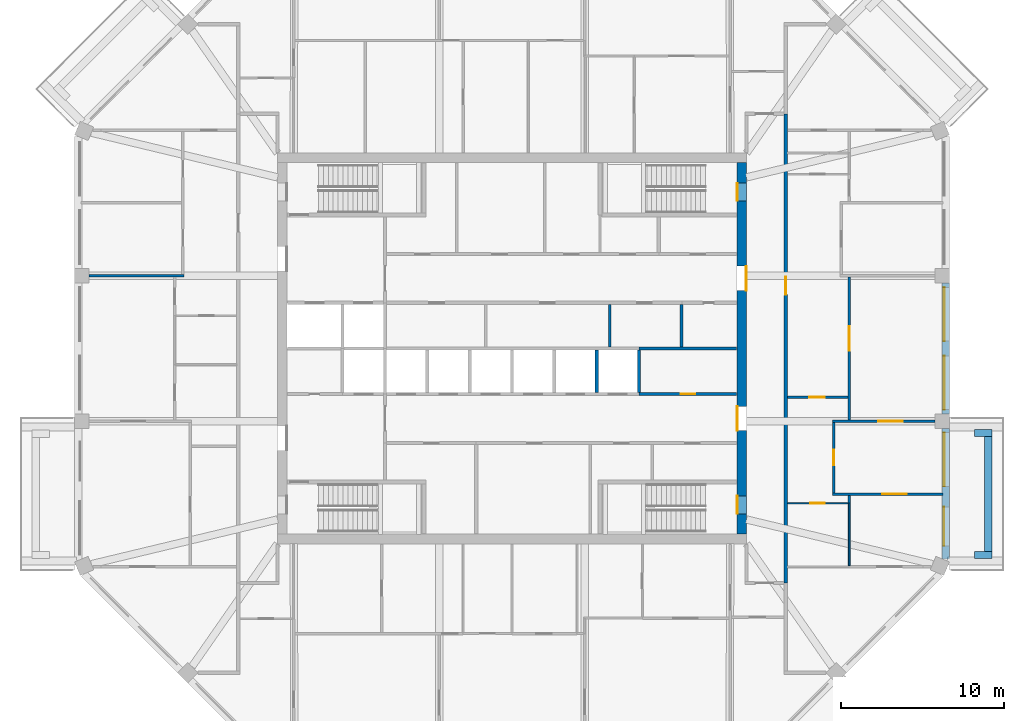
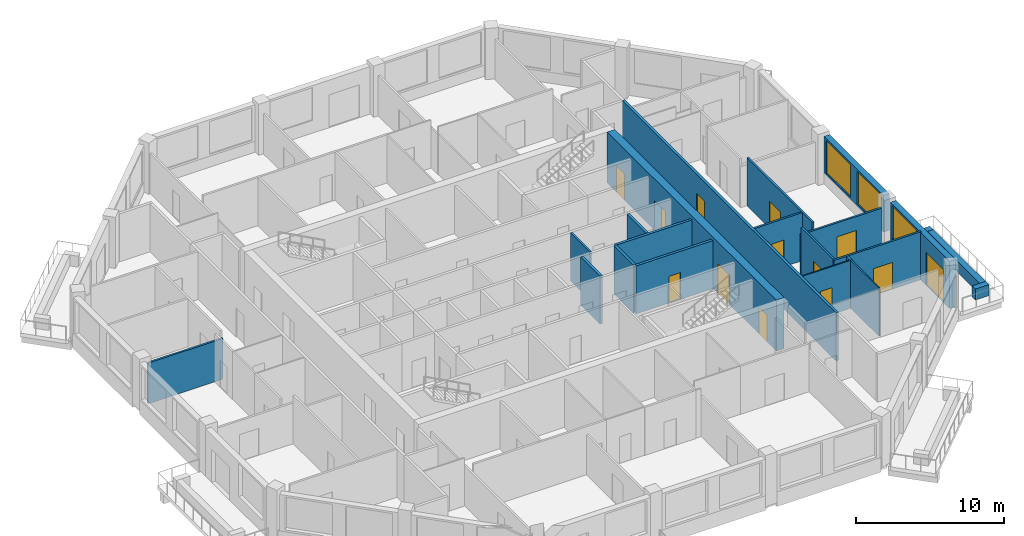
# One storey, part 6 of 11: 22 walls, 13 doors, 3 windows, 16 openings.
"""IFC4 building model written with IfcOpenShell, lengths in metres."""

from ifc_helpers import new_model, si_unit, direction, frame, frame_2d, origin, place, context, subcontext, project, spatial, rectangle, extrude, material, layer, layer_set, type_object, element, fill, save


model = new_model("IFC4")

# Units and contexts
model_context = context("Model", 3, precision=1e-05, world=origin(), true_north=direction((0.0, 1.0)))
body_context = subcontext(model_context, "Body", "Model", "MODEL_VIEW")
ifc_project = project(units=[si_unit("LENGTHUNIT", "METRE"), si_unit("AREAUNIT", "SQUARE_METRE"), si_unit("VOLUMEUNIT", "CUBIC_METRE"), si_unit("PLANEANGLEUNIT", "RADIAN"), si_unit("MASSUNIT", "GRAM", prefix="KILO")], contexts=[model_context])

# Site, building, storey
site_placement = place(None, origin())
site = spatial("IfcSite", under=ifc_project, at=site_placement, CompositionType="ELEMENT")
building_placement = place(site_placement, origin())
building = spatial("IfcBuilding", under=site, at=building_placement, Name="Msitu Wima Residences", CompositionType="ELEMENT")
storey_placement = place(building_placement, frame((0.0, 0.0, 293.699951171875)))
storey = spatial("IfcBuildingStorey", under=building, at=storey_placement, Name="L68", CompositionType="ELEMENT", Elevation=293.699951171875)

# Walls
ifc_material_1 = material(Name="Facing brick")
ifc_layer_1 = layer(ifc_material_1, 0.06494140625, Name="Facing brick")
ifc_material_2 = material(Name="Concrete C40/50", Category="concrete")
ifc_layer_2 = layer(ifc_material_2, 0.156005859375, Name="Concrete C40/50")
ifc_material_3 = material(Name="Waterproofing membrane")
ifc_layer_3 = layer(ifc_material_3, 0.00390625, Name="Waterproofing membrane")
ifc_material_4 = material(Name="Planting soil and planting")
ifc_layer_4 = layer(ifc_material_4, 0.22509765625, Name="Planting soil and planting")
ifc_layer_set_1 = layer_set([ifc_layer_1, ifc_layer_2, ifc_layer_3, ifc_layer_4], Name="Concrete C40/50")
wall_type_1 = type_object("IfcWallType", Name="Balcony planter PLANTER PL450", PredefinedType="USERDEFINED", material=ifc_layer_set_1)
wall_1_placement = place(storey_placement, frame((29.22509765625, -12.455810546875, 0.0), z_axis=(0.0, 0.0, 1.0), x_axis=(0.0, 1.0, 0.0)))
element("IfcWall", 1, at=wall_1_placement, inside=storey, type_object=wall_type_1, Name="Balcony planter E0 L68", ObjectType="PLANTER", PredefinedType="USERDEFINED", context=body_context, shape_type="SweptSolid", body=[
    extrude(rectangle(XDim=7.037109375, YDim=0.449951171875, at=frame_2d((3.5185546875, 0.0))), origin(), (0.0, 0.0, 1.0), 0.900146484375),
])
for number, where, z_axis, x_axis, name in (
    (2, (28.39990234375, -12.680908203125, 0.0), (0.0, 0.0, 1.0), (1.0, 0.0, 0.0), "Balcony planter E0 L68"),
    (3, (28.39990234375, -5.193603515625, 0.0), (0.0, 0.0, 1.0), (1.0, 0.0, 0.0), "Balcony planter E0 L68"),
):
    element("IfcWall", number, at=place(storey_placement, frame(where, z_axis=z_axis, x_axis=x_axis)), inside=storey, type_object=wall_type_1, Name=name, ObjectType="PLANTER", PredefinedType="USERDEFINED", context=body_context, shape_type="SweptSolid", body=[
        extrude(rectangle(XDim=1.050048828125, YDim=0.449951171875, at=frame_2d((0.52490234375, 0.0))), origin(), (0.0, 0.0, 1.0), 0.900146484375),
    ])

# Wall, openings, door, window
ifc_material_5 = material(Name="Brick (red buff mix)", Category="masonry")
ifc_layer_5 = layer(ifc_material_5, 0.449951171875)
ifc_layer_set_2 = layer_set([ifc_layer_5], Name="Brick (red buff mix)")
wall_type_2 = type_object("IfcWallType", Name="Brick infill wall BW450", PredefinedType="SOLIDWALL", material=ifc_layer_set_2)
wall_2_placement = place(storey_placement, frame((26.625, -12.918701171875, 0.0), z_axis=(0.0, 0.0, 1.0), x_axis=(0.0, 1.0, 0.0)))
wall_2 = element("IfcWall", 4, at=wall_2_placement, inside=storey, type_object=wall_type_2, Name="Brick infill wall L68 E0", PredefinedType="SOLIDWALL", context=body_context, shape_type="SweptSolid", body=[
    extrude(rectangle(XDim=8.0, YDim=0.449951171875, at=frame_2d((4.0, 0.0))), origin(), (0.0, 0.0, 1.0), 3.900146484375),
])
opening_1_placement = place(wall_2_placement, frame((0.800048828125, 0.0, 0.0)))
opening_1 = element("IfcOpeningElement", 5, at=opening_1_placement, cuts=wall_2, Name="Opening D68-70.001", PredefinedType="OPENING", context=body_context, shape_type="SweptSolid", body=[
    extrude(rectangle(XDim=2.39990234375, YDim=2.699951171875, at=frame_2d((1.199951171875, 1.35009765625))), frame((0.0, 0.23486328125, 0.0), z_axis=(0.0, -1.0, 0.0), x_axis=(1.0, 0.0, 0.0)), (0.0, 0.0, 1.0), 0.469970703125),
])
opening_2_placement = place(wall_2_placement, frame((4.4501953125, 0.0, 1.050048828125)))
opening_2 = element("IfcOpeningElement", 6, at=opening_2_placement, cuts=wall_2, Name="Opening W68-70.001", PredefinedType="OPENING", context=body_context, shape_type="SweptSolid", body=[
    extrude(rectangle(XDim=3.300048828125, YDim=2.699951171875, at=frame_2d((1.64990234375, 1.35009765625))), frame((0.0, 0.23486328125, 0.0), z_axis=(0.0, -1.0, 0.0), x_axis=(1.0, 0.0, 0.0)), (0.0, 0.0, 1.0), 0.469970703125),
])
ifc_material_6 = material(Name="Anodised aluminium, bronze finish, clear low-emissivity double glazing", Category="aluminium")
door_type_1 = type_object("IfcDoorType", Name="Balcony door D2400x2700", OperationType="SLIDING_TO_LEFT", PredefinedType="DOOR", material=ifc_material_6)
door_1_placement = place(opening_1_placement, origin())
door_1 = element("IfcDoor", 7, at=door_1_placement, inside=storey, type_object=door_type_1, Name="Balcony door L68 E0", OperationType="SINGLE_SWING_LEFT", OverallHeight=2.699951171875, OverallWidth=2.39990234375, PredefinedType="DOOR", context=body_context, shape_type="SweptSolid", body=[
    extrude(rectangle(XDim=2.39990234375, YDim=2.699951171875, at=frame_2d((1.199951171875, 1.35009765625))), frame((0.0, 0.1298828125, 0.0), z_axis=(0.0, -1.0, 0.0), x_axis=(1.0, 0.0, 0.0)), (0.0, 0.0, 1.0), 0.050048828125),
])
fill(opening_1, door_1)
window_type = type_object("IfcWindowType", Name="Window W3300x2700", PartitioningType="DOUBLE_PANEL_VERTICAL", PredefinedType="WINDOW", material=ifc_material_6)
window_1_placement = place(opening_2_placement, origin())
window_1 = element("IfcWindow", 8, at=window_1_placement, inside=storey, type_object=window_type, Name="Window L68 E0.2", OverallHeight=2.699951171875, OverallWidth=3.300048828125, PartitioningType="SINGLE_PANEL", PredefinedType="WINDOW", context=body_context, shape_type="SweptSolid", body=[
    extrude(rectangle(XDim=3.300048828125, YDim=2.699951171875, at=frame_2d((1.64990234375, 1.35009765625))), frame((0.0, 0.135009765625, 0.0), z_axis=(0.0, -1.0, 0.0), x_axis=(1.0, 0.0, 0.0)), (0.0, 0.0, 1.0), 0.06005859375),
])
fill(opening_2, window_1)

# Wall, openings, windows
wall_3_placement = place(storey_placement, frame((26.625, -4.0185546875, 0.900146484375), z_axis=(0.0, 0.0, 1.0), x_axis=(0.0, 1.0, 0.0)))
wall_3 = element("IfcWall", 9, at=wall_3_placement, inside=storey, type_object=wall_type_2, Name="Brick infill wall L68 E1", PredefinedType="SOLIDWALL", context=body_context, shape_type="SweptSolid", body=[
    extrude(rectangle(XDim=8.037109375, YDim=0.449951171875, at=frame_2d((4.0185546875, 0.0))), origin(), (0.0, 0.0, 1.0), 3.0),
])
opening_3_placement = place(wall_3_placement, frame((0.2685546875, 0.0, 0.14990234375)))
opening_3 = element("IfcOpeningElement", 10, at=opening_3_placement, cuts=wall_3, Name="Opening W68-70.002", PredefinedType="OPENING", context=body_context, shape_type="SweptSolid", body=[
    extrude(rectangle(XDim=3.300048828125, YDim=2.699951171875, at=frame_2d((1.64990234375, 1.35009765625))), frame((0.0, 0.23486328125, 0.0), z_axis=(0.0, -1.0, 0.0), x_axis=(1.0, 0.0, 0.0)), (0.0, 0.0, 1.0), 0.469970703125),
])
opening_4_placement = place(wall_3_placement, frame((4.46875, 0.0, 0.14990234375)))
opening_4 = element("IfcOpeningElement", 11, at=opening_4_placement, cuts=wall_3, Name="Opening W68-70.003", PredefinedType="OPENING", context=body_context, shape_type="SweptSolid", body=[
    extrude(rectangle(XDim=3.300048828125, YDim=2.699951171875, at=frame_2d((1.64990234375, 1.35009765625))), frame((0.0, 0.23486328125, 0.0), z_axis=(0.0, -1.0, 0.0), x_axis=(1.0, 0.0, 0.0)), (0.0, 0.0, 1.0), 0.469970703125),
])
window_2_placement = place(opening_3_placement, origin())
window_2 = element("IfcWindow", 12, at=window_2_placement, inside=storey, type_object=window_type, Name="Window L68 E1.1", OverallHeight=2.699951171875, OverallWidth=3.300048828125, PartitioningType="SINGLE_PANEL", PredefinedType="WINDOW", context=body_context, shape_type="SweptSolid", body=[
    extrude(rectangle(XDim=3.300048828125, YDim=2.699951171875, at=frame_2d((1.64990234375, 1.35009765625))), frame((0.0, 0.135009765625, 0.0), z_axis=(0.0, -1.0, 0.0), x_axis=(1.0, 0.0, 0.0)), (0.0, 0.0, 1.0), 0.06005859375),
])
fill(opening_3, window_2)
window_3_placement = place(opening_4_placement, origin())
window_3 = element("IfcWindow", 13, at=window_3_placement, inside=storey, type_object=window_type, Name="Window L68 E1.2", OverallHeight=2.699951171875, OverallWidth=3.300048828125, PartitioningType="SINGLE_PANEL", PredefinedType="WINDOW", context=body_context, shape_type="SweptSolid", body=[
    extrude(rectangle(XDim=3.300048828125, YDim=2.699951171875, at=frame_2d((1.64990234375, 1.35009765625))), frame((0.0, 0.135009765625, 0.0), z_axis=(0.0, -1.0, 0.0), x_axis=(1.0, 0.0, 0.0)), (0.0, 0.0, 1.0), 0.06005859375),
])
fill(opening_4, window_3)

# Wall, openings, doors
ifc_material_7 = material(Name="Concrete C50/60", Category="concrete")
ifc_layer_6 = layer(ifc_material_7, 0.60009765625)
ifc_layer_set_3 = layer_set([ifc_layer_6], Name="Concrete C50/60")
wall_type_3 = type_object("IfcWallType", Name="Core wall CW600 C50/60", PredefinedType="SHEAR", material=ifc_layer_set_3)
wall_4_placement = place(storey_placement, frame((14.10009765625, -11.39990234375, 0.0), z_axis=(0.0, 0.0, 1.0), x_axis=(0.0, 1.0, 0.0)))
wall_4 = element("IfcWall", 14, at=wall_4_placement, inside=storey, type_object=wall_type_3, Name="Core wall", PredefinedType="SHEAR", context=body_context, shape_type="SweptSolid", body=[
    extrude(rectangle(XDim=22.7998046875, YDim=0.60009765625, at=frame_2d((11.39990234375, 0.0))), origin(), (0.0, 0.0, 1.0), 4.199951171875),
])
opening_5_placement = place(wall_4_placement, frame((20.449951171875, 0.0, 0.0)))
opening_5 = element("IfcOpeningElement", 15, at=opening_5_placement, cuts=wall_4, Name="Opening D68-70.082", PredefinedType="OPENING", context=body_context, shape_type="SweptSolid", body=[
    extrude(rectangle(XDim=1.10009765625, YDim=2.199951171875, at=frame_2d((0.550048828125, 1.10009765625))), frame((0.0, 0.31005859375, 0.0), z_axis=(0.0, -1.0, 0.0), x_axis=(1.0, 0.0, 0.0)), (0.0, 0.0, 1.0), 0.6201171875),
])
opening_6_placement = place(wall_4_placement, frame((1.25, 0.0, 0.0)))
opening_6 = element("IfcOpeningElement", 16, at=opening_6_placement, cuts=wall_4, Name="Opening D68-70.083", PredefinedType="OPENING", context=body_context, shape_type="SweptSolid", body=[
    extrude(rectangle(XDim=1.10009765625, YDim=2.199951171875, at=frame_2d((0.550048828125, 1.10009765625))), frame((0.0, 0.31005859375, 0.0), z_axis=(0.0, -1.0, 0.0), x_axis=(1.0, 0.0, 0.0)), (0.0, 0.0, 1.0), 0.6201171875),
])
opening_7_placement = place(wall_4_placement, frame((14.949951171875, 0.0, 0.0)))
opening_7 = element("IfcOpeningElement", 17, at=opening_7_placement, cuts=wall_4, Name="Opening D68-70.071", PredefinedType="OPENING", context=body_context, shape_type="SweptSolid", body=[
    extrude(rectangle(XDim=1.5, YDim=2.39990234375, at=frame_2d((0.75, 1.199951171875))), frame((0.0, 0.31005859375, 0.0), z_axis=(0.0, -1.0, 0.0), x_axis=(1.0, 0.0, 0.0)), (0.0, 0.0, 1.0), 0.6201171875),
])
opening_8_placement = place(wall_4_placement, frame((6.35009765625, 0.0, 0.0)))
opening_8 = element("IfcOpeningElement", 18, at=opening_8_placement, cuts=wall_4, Name="Opening D68-70.072", PredefinedType="OPENING", context=body_context, shape_type="SweptSolid", body=[
    extrude(rectangle(XDim=1.5, YDim=2.39990234375, at=frame_2d((0.75, 1.199951171875))), frame((0.0, 0.31005859375, 0.0), z_axis=(0.0, -1.0, 0.0), x_axis=(1.0, 0.0, 0.0)), (0.0, 0.0, 1.0), 0.6201171875),
])
ifc_material_8 = material(Name="Steel framed glazed door, fire resisting", Category="steel")
door_type_2 = type_object("IfcDoorType", Name="Lobby door D07 1500x2400", OperationType="DOUBLE_DOOR_SINGLE_SWING", PredefinedType="DOOR", material=ifc_material_8)
door_2_placement = place(opening_7_placement, origin())
door_2 = element("IfcDoor", 19, at=door_2_placement, inside=storey, type_object=door_type_2, Name="Lobby door", OperationType="DOUBLE_DOOR_SINGLE_SWING", OverallHeight=2.39990234375, OverallWidth=1.5, PredefinedType="DOOR", context=body_context, shape_type="SweptSolid", body=[
    extrude(rectangle(XDim=1.5, YDim=2.39990234375, at=frame_2d((0.75, 1.199951171875))), frame((0.0, -0.2451171875, 0.0), z_axis=(0.0, -1.0, 0.0), x_axis=(1.0, 0.0, 0.0)), (0.0, 0.0, 1.0), 0.050048828125),
])
fill(opening_7, door_2)
door_3_placement = place(opening_8_placement, origin())
door_3 = element("IfcDoor", 20, at=door_3_placement, inside=storey, type_object=door_type_2, Name="Lobby door", OperationType="DOUBLE_DOOR_SINGLE_SWING", OverallHeight=2.39990234375, OverallWidth=1.5, PredefinedType="DOOR", context=body_context, shape_type="SweptSolid", body=[
    extrude(rectangle(XDim=1.5, YDim=2.39990234375, at=frame_2d((0.75, 1.199951171875))), frame((0.0, 0.294921875, 0.0), z_axis=(0.0, -1.0, 0.0), x_axis=(1.0, 0.0, 0.0)), (0.0, 0.0, 1.0), 0.050048828125),
])
fill(opening_8, door_3)
ifc_material_9 = material(Name="Steel door, fire resisting, panic bar", Category="steel")
door_type_3 = type_object("IfcDoorType", Name="Stair door D06 1100x2200", OperationType="SINGLE_SWING_LEFT", PredefinedType="DOOR", material=ifc_material_9)
door_4_placement = place(opening_5_placement, origin())
door_4 = element("IfcDoor", 21, at=door_4_placement, inside=storey, type_object=door_type_3, Name="Stair door", OperationType="SINGLE_SWING_LEFT", OverallHeight=2.199951171875, OverallWidth=1.10009765625, PredefinedType="DOOR", context=body_context, shape_type="SweptSolid", body=[
    extrude(rectangle(XDim=1.10009765625, YDim=2.199951171875, at=frame_2d((0.550048828125, 1.10009765625))), frame((0.0, 0.294921875, 0.0), z_axis=(0.0, -1.0, 0.0), x_axis=(1.0, 0.0, 0.0)), (0.0, 0.0, 1.0), 0.050048828125),
])
fill(opening_5, door_4)
door_5_placement = place(opening_6_placement, origin())
door_5 = element("IfcDoor", 22, at=door_5_placement, inside=storey, type_object=door_type_3, Name="Stair door", OperationType="SINGLE_SWING_RIGHT", OverallHeight=2.199951171875, OverallWidth=1.10009765625, PredefinedType="DOOR", context=body_context, shape_type="SweptSolid", body=[
    extrude(rectangle(XDim=1.10009765625, YDim=2.199951171875, at=frame_2d((0.550048828125, 1.10009765625))), frame((0.0, 0.294921875, 0.0), z_axis=(0.0, -1.0, 0.0), x_axis=(1.0, 0.0, 0.0)), (0.0, 0.0, 1.0), 0.050048828125),
])
fill(opening_6, door_5)

# Wall, opening, door
ifc_material_10 = material(Name="Plaster")
ifc_layer_7 = layer(ifc_material_10, 0.011962890625, Name="Plaster")
ifc_material_11 = material(Name="Concrete blockwork", Category="masonry")
ifc_layer_8 = layer(ifc_material_11, 0.176025390625, Name="Concrete blockwork")
ifc_layer_9 = layer(ifc_material_10, 0.011962890625, Name="Plaster")
ifc_layer_set_4 = layer_set([ifc_layer_7, ifc_layer_8, ifc_layer_9], Name="Concrete blockwork")
wall_type_4 = type_object("IfcWallType", Name="Corridor wall FW200", PredefinedType="PARTITIONING", material=ifc_layer_set_4)
wall_5_placement = place(storey_placement, frame((16.800048828125, -14.39990234375, 0.0), z_axis=(0.0, 0.0, 1.0), x_axis=(0.0, 1.0, 0.0)))
wall_5 = element("IfcWall", 23, at=wall_5_placement, inside=storey, type_object=wall_type_4, Name="Corridor wall", PredefinedType="PARTITIONING", context=body_context, shape_type="SweptSolid", body=[
    extrude(rectangle(XDim=28.7998046875, YDim=0.199951171875, at=frame_2d((14.39990234375, 0.0))), origin(), (0.0, 0.0, 1.0), 3.949951171875),
])
opening_9_placement = place(wall_5_placement, frame((17.699951171875, 0.0, 0.0)))
opening_9 = element("IfcOpeningElement", 24, at=opening_9_placement, cuts=wall_5, Name="Opening D68-70.008", PredefinedType="OPENING", context=body_context, shape_type="SweptSolid", body=[
    extrude(rectangle(XDim=1.10009765625, YDim=2.39990234375, at=frame_2d((0.550048828125, 1.199951171875))), frame((0.0, 0.10986328125, 0.0), z_axis=(0.0, -1.0, 0.0), x_axis=(1.0, 0.0, 0.0)), (0.0, 0.0, 1.0), 0.219970703125),
])
ifc_material_12 = material(Name="Timber flush door, fire resisting, self-closing", Category="wood")
door_type_4 = type_object("IfcDoorType", Name="Flat entrance door D01 1100x2400", OperationType="SINGLE_SWING_LEFT", PredefinedType="DOOR", material=ifc_material_12)
door_6_placement = place(opening_9_placement, origin())
door_6 = element("IfcDoor", 25, at=door_6_placement, inside=storey, type_object=door_type_4, Name="Flat entrance door", OperationType="SINGLE_SWING_LEFT", OverallHeight=2.39990234375, OverallWidth=1.10009765625, PredefinedType="DOOR", context=body_context, shape_type="SweptSolid", body=[
    extrude(rectangle(XDim=1.10009765625, YDim=2.39990234375, at=frame_2d((0.550048828125, 1.199951171875))), frame((0.0, 0.02490234375, 0.0), z_axis=(0.0, -1.0, 0.0), x_axis=(1.0, 0.0, 0.0)), (0.0, 0.0, 1.0), 0.050048828125),
])
fill(opening_9, door_6)

# Walls
ifc_layer_10 = layer(ifc_material_10, 0.011962890625, Name="Plaster")
ifc_layer_11 = layer(ifc_material_11, 0.1259765625, Name="Concrete blockwork")
ifc_layer_12 = layer(ifc_material_10, 0.011962890625, Name="Plaster")
ifc_layer_set_5 = layer_set([ifc_layer_10, ifc_layer_11, ifc_layer_12], Name="Concrete blockwork")
wall_type_5 = type_object("IfcWallType", Name="Partition PW150", PredefinedType="PARTITIONING", material=ifc_layer_set_5)
wall_6_placement = place(storey_placement, frame((-25.949951171875, 4.46875, 0.0), z_axis=(0.0, 0.0, 1.0), x_axis=(1.0, 0.0, 0.0)))
element("IfcWall", 26, at=wall_6_placement, inside=storey, type_object=wall_type_5, Name="Partition", PredefinedType="PARTITIONING", context=body_context, shape_type="SweptSolid", body=[
    extrude(rectangle(XDim=5.824951171875, YDim=0.14990234375, at=frame_2d((2.91259765625, 0.0))), origin(), (0.0, 0.0, 1.0), 3.35009765625),
])
wall_7_placement = place(storey_placement, frame((6.0, 0.10009765625, 0.0), z_axis=(0.0, 0.0, 1.0), x_axis=(0.0, 1.0, 0.0)))
element("IfcWall", 27, at=wall_7_placement, inside=storey, type_object=wall_type_5, Name="Partition", PredefinedType="PARTITIONING", context=body_context, shape_type="SweptSolid", body=[
    extrude(rectangle(XDim=2.599853515625, YDim=0.14990234375, at=frame_2d((1.2998046875, 0.0))), origin(), (0.0, 0.0, 1.0), 3.949951171875),
])

# Wall, opening, door
wall_8_placement = place(storey_placement, frame((16.89990234375, -3.0, 0.0), z_axis=(0.0, 0.0, 1.0), x_axis=(1.0, 0.0, 0.0)))
wall_8 = element("IfcWall", 28, at=wall_8_placement, inside=storey, type_object=wall_type_5, Name="Partition", PredefinedType="PARTITIONING", context=body_context, shape_type="SweptSolid", body=[
    extrude(rectangle(XDim=3.72509765625, YDim=0.14990234375, at=frame_2d((1.862548828125, 0.0))), origin(), (0.0, 0.0, 1.0), 3.949951171875),
])
opening_10_placement = place(wall_8_placement, frame((1.35009765625, 0.0, 0.0)))
opening_10 = element("IfcOpeningElement", 29, at=opening_10_placement, cuts=wall_8, Name="Opening D68-70.009", PredefinedType="OPENING", context=body_context, shape_type="SweptSolid", body=[
    extrude(rectangle(XDim=0.949951171875, YDim=2.199951171875, at=frame_2d((0.47509765625, 1.10009765625))), frame((0.0, 0.0849609375, 0.0), z_axis=(0.0, -1.0, 0.0), x_axis=(1.0, 0.0, 0.0)), (0.0, 0.0, 1.0), 0.169921875),
])
ifc_material_13 = material(Name="Timber flush door", Category="wood")
door_type_5 = type_object("IfcDoorType", Name="Room door D12 950x2200", OperationType="SINGLE_SWING_LEFT", PredefinedType="DOOR", material=ifc_material_13)
door_7_placement = place(opening_10_placement, origin())
door_7 = element("IfcDoor", 30, at=door_7_placement, inside=storey, type_object=door_type_5, Name="Room door", OperationType="SINGLE_SWING_RIGHT", OverallHeight=2.199951171875, OverallWidth=0.949951171875, PredefinedType="DOOR", context=body_context, shape_type="SweptSolid", body=[
    extrude(rectangle(XDim=0.949951171875, YDim=2.199951171875, at=frame_2d((0.47509765625, 1.10009765625))), frame((0.0, 0.02490234375, 0.0), z_axis=(0.0, -1.0, 0.0), x_axis=(1.0, 0.0, 0.0)), (0.0, 0.0, 1.0), 0.050048828125),
])
fill(opening_10, door_7)

wall_9_placement = place(storey_placement, frame((19.75, -8.8623046875, 0.0), z_axis=(0.0, 0.0, 1.0), x_axis=(0.0, 1.0, 0.0)))
wall_9 = element("IfcWall", 31, at=wall_9_placement, inside=storey, type_object=wall_type_5, Name="Partition", PredefinedType="PARTITIONING", context=body_context, shape_type="SweptSolid", body=[
    extrude(rectangle(XDim=4.318603515625, YDim=0.14990234375, at=frame_2d((2.1591796875, 0.0))), origin(), (0.0, 0.0, 1.0), 3.949951171875),
])
opening_11_placement = place(wall_9_placement, frame((1.699951171875, 0.0, 0.0)))
opening_11 = element("IfcOpeningElement", 32, at=opening_11_placement, cuts=wall_9, Name="Opening D68-70.012", PredefinedType="OPENING", context=body_context, shape_type="SweptSolid", body=[
    extrude(rectangle(XDim=0.949951171875, YDim=2.199951171875, at=frame_2d((0.47509765625, 1.10009765625))), frame((0.0, 0.0849609375, 0.0), z_axis=(0.0, -1.0, 0.0), x_axis=(1.0, 0.0, 0.0)), (0.0, 0.0, 1.0), 0.169921875),
])
door_8_placement = place(opening_11_placement, origin())
door_8 = element("IfcDoor", 33, at=door_8_placement, inside=storey, type_object=door_type_5, Name="Room door", OperationType="SINGLE_SWING_LEFT", OverallHeight=2.199951171875, OverallWidth=0.949951171875, PredefinedType="DOOR", context=body_context, shape_type="SweptSolid", body=[
    extrude(rectangle(XDim=0.949951171875, YDim=2.199951171875, at=frame_2d((0.47509765625, 1.10009765625))), frame((0.0, 0.02490234375, 0.0), z_axis=(0.0, -1.0, 0.0), x_axis=(1.0, 0.0, 0.0)), (0.0, 0.0, 1.0), 0.050048828125),
])
fill(opening_11, door_8)

wall_10_placement = place(storey_placement, frame((19.675048828125, -8.937255859375, 0.0), z_axis=(0.0, 0.0, 1.0), x_axis=(1.0, 0.0, 0.0)))
wall_10 = element("IfcWall", 34, at=wall_10_placement, inside=storey, type_object=wall_type_5, Name="Partition", PredefinedType="PARTITIONING", context=body_context, shape_type="SweptSolid", body=[
    extrude(rectangle(XDim=6.780029296875, YDim=0.14990234375, at=frame_2d((3.39013671875, 0.0))), origin(), (0.0, 0.0, 1.0), 3.949951171875),
])
opening_12_placement = place(wall_10_placement, frame((3.050048828125, 0.0, 0.0)))
opening_12 = element("IfcOpeningElement", 35, at=opening_12_placement, cuts=wall_10, Name="Opening D68-70.010", PredefinedType="OPENING", context=body_context, shape_type="SweptSolid", body=[
    extrude(rectangle(XDim=1.5, YDim=2.199951171875, at=frame_2d((0.75, 1.10009765625))), frame((0.0, 0.0849609375, 0.0), z_axis=(0.0, -1.0, 0.0), x_axis=(1.0, 0.0, 0.0)), (0.0, 0.0, 1.0), 0.169921875),
])
ifc_material_14 = material(Name="Timber double door", Category="wood")
door_type_6 = type_object("IfcDoorType", Name="Double door D04 1500x2200", OperationType="DOUBLE_DOOR_SINGLE_SWING", PredefinedType="DOOR", material=ifc_material_14)
door_9_placement = place(opening_12_placement, origin())
door_9 = element("IfcDoor", 36, at=door_9_placement, inside=storey, type_object=door_type_6, Name="Double door", OperationType="DOUBLE_DOOR_SINGLE_SWING", OverallHeight=2.199951171875, OverallWidth=1.5, PredefinedType="DOOR", context=body_context, shape_type="SweptSolid", body=[
    extrude(rectangle(XDim=1.5, YDim=2.199951171875, at=frame_2d((0.75, 1.10009765625))), frame((0.0, 0.02490234375, 0.0), z_axis=(0.0, -1.0, 0.0), x_axis=(1.0, 0.0, 0.0)), (0.0, 0.0, 1.0), 0.050048828125),
])
fill(opening_12, door_9)

wall_11_placement = place(storey_placement, frame((19.675048828125, -4.46875, 0.0), z_axis=(0.0, 0.0, 1.0), x_axis=(1.0, 0.0, 0.0)))
wall_11 = element("IfcWall", 37, at=wall_11_placement, inside=storey, type_object=wall_type_5, Name="Partition", PredefinedType="PARTITIONING", context=body_context, shape_type="SweptSolid", body=[
    extrude(rectangle(XDim=6.27490234375, YDim=0.14990234375, at=frame_2d((3.137451171875, 0.0))), origin(), (0.0, 0.0, 1.0), 3.35009765625),
])
opening_13_placement = place(wall_11_placement, frame((2.800048828125, 0.0, 0.0)))
opening_13 = element("IfcOpeningElement", 38, at=opening_13_placement, cuts=wall_11, Name="Opening D68-70.020", PredefinedType="OPENING", context=body_context, shape_type="SweptSolid", body=[
    extrude(rectangle(XDim=1.5, YDim=2.199951171875, at=frame_2d((0.75, 1.10009765625))), frame((0.0, 0.0849609375, 0.0), z_axis=(0.0, -1.0, 0.0), x_axis=(1.0, 0.0, 0.0)), (0.0, 0.0, 1.0), 0.169921875),
])
door_10_placement = place(opening_13_placement, origin())
door_10 = element("IfcDoor", 39, at=door_10_placement, inside=storey, type_object=door_type_6, Name="Double door", OperationType="DOUBLE_DOOR_SINGLE_SWING", OverallHeight=2.199951171875, OverallWidth=1.5, PredefinedType="DOOR", context=body_context, shape_type="SweptSolid", body=[
    extrude(rectangle(XDim=1.5, YDim=2.199951171875, at=frame_2d((0.75, 1.10009765625))), frame((0.0, 0.02490234375, 0.0), z_axis=(0.0, -1.0, 0.0), x_axis=(1.0, 0.0, 0.0)), (0.0, 0.0, 1.0), 0.050048828125),
])
fill(opening_13, door_10)

# Wall
wall_12_placement = place(storey_placement, frame((20.699951171875, -9.5, 0.0), z_axis=(0.0, 0.0, 1.0), x_axis=(0.0, 1.0, 0.0)))
element("IfcWall", 40, at=wall_12_placement, inside=storey, type_object=wall_type_5, Name="Partition", PredefinedType="PARTITIONING", context=body_context, shape_type="SweptSolid", body=[
    extrude(rectangle(XDim=0.48779296875, YDim=0.14990234375, at=frame_2d((0.243896484375, 0.0))), origin(), (0.0, 0.0, 1.0), 3.949951171875),
])

# Wall, opening, door
wall_13_placement = place(storey_placement, frame((20.699951171875, -4.3935546875, 0.0), z_axis=(0.0, 0.0, 1.0), x_axis=(0.0, 1.0, 0.0)))
wall_13 = element("IfcWall", 41, at=wall_13_placement, inside=storey, type_object=wall_type_5, Name="Partition", PredefinedType="PARTITIONING", context=body_context, shape_type="SweptSolid", body=[
    extrude(rectangle(XDim=8.787109375, YDim=0.14990234375, at=frame_2d((4.3935546875, 0.0))), origin(), (0.0, 0.0, 1.0), 3.949951171875),
])
opening_14_placement = place(wall_13_placement, frame((4.25, 0.0, 0.0)))
opening_14 = element("IfcOpeningElement", 42, at=opening_14_placement, cuts=wall_13, Name="Opening D68-70.014", PredefinedType="OPENING", context=body_context, shape_type="SweptSolid", body=[
    extrude(rectangle(XDim=1.5, YDim=2.199951171875, at=frame_2d((0.75, 1.10009765625))), frame((0.0, 0.0849609375, 0.0), z_axis=(0.0, -1.0, 0.0), x_axis=(1.0, 0.0, 0.0)), (0.0, 0.0, 1.0), 0.169921875),
])
door_11_placement = place(opening_14_placement, origin())
door_11 = element("IfcDoor", 43, at=door_11_placement, inside=storey, type_object=door_type_6, Name="Double door", OperationType="DOUBLE_DOOR_SINGLE_SWING", OverallHeight=2.199951171875, OverallWidth=1.5, PredefinedType="DOOR", context=body_context, shape_type="SweptSolid", body=[
    extrude(rectangle(XDim=1.5, YDim=2.199951171875, at=frame_2d((0.75, 1.10009765625))), frame((0.0, 0.02490234375, 0.0), z_axis=(0.0, -1.0, 0.0), x_axis=(1.0, 0.0, 0.0)), (0.0, 0.0, 1.0), 0.050048828125),
])
fill(opening_14, door_11)

ifc_layer_13 = layer(ifc_material_10, 0.011962890625, Name="Plaster")
ifc_material_15 = material(Name="Reinforced concrete blockwork", Category="masonry")
ifc_layer_14 = layer(ifc_material_15, 0.176025390625, Name="Reinforced concrete blockwork")
ifc_layer_15 = layer(ifc_material_10, 0.011962890625, Name="Plaster")
ifc_layer_set_6 = layer_set([ifc_layer_13, ifc_layer_14, ifc_layer_15], Name="Reinforced concrete blockwork")
wall_type_6 = type_object("IfcWallType", Name="Plant and riser wall PL200", PredefinedType="PARTITIONING", material=ifc_layer_set_6)
wall_14_placement = place(storey_placement, frame((7.800048828125, -2.800048828125, 0.0), z_axis=(0.0, 0.0, 1.0), x_axis=(1.0, 0.0, 0.0)))
wall_14 = element("IfcWall", 44, at=wall_14_placement, inside=storey, type_object=wall_type_6, Name="Plant and riser wall", PredefinedType="PARTITIONING", context=body_context, shape_type="SweptSolid", body=[
    extrude(rectangle(XDim=5.969970703125, YDim=0.199951171875, at=frame_2d((2.98486328125, 0.0))), origin(), (0.0, 0.0, 1.0), 3.949951171875),
])
opening_15_placement = place(wall_14_placement, frame((2.550048828125, 0.0, 0.0)))
opening_15 = element("IfcOpeningElement", 45, at=opening_15_placement, cuts=wall_14, Name="Opening D68-70.057", PredefinedType="OPENING", context=body_context, shape_type="SweptSolid", body=[
    extrude(rectangle(XDim=0.89990234375, YDim=2.199951171875, at=frame_2d((0.449951171875, 1.10009765625))), frame((0.0, 0.10986328125, 0.0), z_axis=(0.0, -1.0, 0.0), x_axis=(1.0, 0.0, 0.0)), (0.0, 0.0, 1.0), 0.219970703125),
])
door_type_7 = type_object("IfcDoorType", Name="Service door D05 900x2200", OperationType="SINGLE_SWING_LEFT", PredefinedType="DOOR", material=ifc_material_13)
door_12_placement = place(opening_15_placement, origin())
door_12 = element("IfcDoor", 46, at=door_12_placement, inside=storey, type_object=door_type_7, Name="Service door", OperationType="SINGLE_SWING_LEFT", OverallHeight=2.199951171875, OverallWidth=0.89990234375, PredefinedType="DOOR", context=body_context, shape_type="SweptSolid", body=[
    extrude(rectangle(XDim=0.89990234375, YDim=2.199951171875, at=frame_2d((0.449951171875, 1.10009765625))), frame((0.0, 0.02490234375, 0.0), z_axis=(0.0, -1.0, 0.0), x_axis=(1.0, 0.0, 0.0)), (0.0, 0.0, 1.0), 0.050048828125),
])
fill(opening_15, door_12)

# Walls
wall_15_placement = place(storey_placement, frame((7.800048828125, 0.0, 0.0), z_axis=(0.0, 0.0, 1.0), x_axis=(1.0, 0.0, 0.0)))
element("IfcWall", 47, at=wall_15_placement, inside=storey, type_object=wall_type_6, Name="Plant and riser wall", PredefinedType="PARTITIONING", context=body_context, shape_type="SweptSolid", body=[
    extrude(rectangle(XDim=5.969970703125, YDim=0.199951171875, at=frame_2d((2.98486328125, 0.0))), origin(), (0.0, 0.0, 1.0), 3.949951171875),
])
wall_16_placement = place(storey_placement, frame((10.39990234375, 0.10009765625, 0.0), z_axis=(0.0, 0.0, 1.0), x_axis=(0.0, 1.0, 0.0)))
element("IfcWall", 48, at=wall_16_placement, inside=storey, type_object=wall_type_6, Name="Plant and riser wall", PredefinedType="PARTITIONING", context=body_context, shape_type="SweptSolid", body=[
    extrude(rectangle(XDim=2.599853515625, YDim=0.199951171875, at=frame_2d((1.2998046875, 0.0))), origin(), (0.0, 0.0, 1.0), 3.949951171875),
])
ifc_material_16 = material(Name="Fire-rated board")
ifc_layer_16 = layer(ifc_material_16, 0.02490234375, Name="Fire-rated board")
ifc_material_17 = material(Name="Light-gauge stud framing with mineral wool")
ifc_layer_17 = layer(ifc_material_17, 0.14990234375, Name="Light-gauge stud framing with mineral wool")
ifc_layer_18 = layer(ifc_material_16, 0.02490234375, Name="Fire-rated board")
ifc_layer_set_7 = layer_set([ifc_layer_16, ifc_layer_17, ifc_layer_18], Name="Light-gauge stud framing with mineral wool")
wall_type_7 = type_object("IfcWallType", Name="Shaft wall SH200", PredefinedType="PARTITIONING", material=ifc_layer_set_7)
for number, where, z_axis, x_axis, name in (
    (49, (5.199951171875, -2.699951171875, 0.0), (0.0, 0.0, 1.0), (0.0, 1.0, 0.0), "Shaft wall"),
    (50, (7.800048828125, -2.699951171875, 0.0), (0.0, 0.0, 1.0), (0.0, 1.0, 0.0), "Shaft wall"),
):
    element("IfcWall", number, at=place(storey_placement, frame(where, z_axis=z_axis, x_axis=x_axis)), inside=storey, type_object=wall_type_7, Name=name, PredefinedType="PARTITIONING", context=body_context, shape_type="SweptSolid", body=[
        extrude(rectangle(XDim=2.599853515625, YDim=0.199951171875, at=frame_2d((1.2998046875, 0.0))), origin(), (0.0, 0.0, 1.0), 3.949951171875),
    ])

# Wall, opening, door
ifc_material_18 = material(Name="Ceramic tiles")
ifc_layer_19 = layer(ifc_material_18, 0.008056640625, Name="Ceramic tiles")
ifc_material_19 = material(Name="Moisture-resistant board")
ifc_layer_20 = layer(ifc_material_19, 0.012451171875, Name="Moisture-resistant board")
ifc_layer_21 = layer(ifc_material_17, 0.06689453125, Name="Light-gauge stud framing with mineral wool")
ifc_layer_22 = layer(ifc_material_19, 0.012451171875, Name="Moisture-resistant board")
ifc_layer_set_8 = layer_set([ifc_layer_19, ifc_layer_20, ifc_layer_21, ifc_layer_22], Name="Light-gauge stud framing with mineral wool")
wall_type_8 = type_object("IfcWallType", Name="Wet wall PW100", PredefinedType="PARTITIONING", material=ifc_layer_set_8)
wall_17_placement = place(storey_placement, frame((16.89990234375, -9.5, 0.0), z_axis=(0.0, 0.0, 1.0), x_axis=(1.0, 0.0, 0.0)))
wall_17 = element("IfcWall", 51, at=wall_17_placement, inside=storey, type_object=wall_type_8, Name="Wet wall", PredefinedType="PARTITIONING", context=body_context, shape_type="SweptSolid", body=[
    extrude(rectangle(XDim=3.72509765625, YDim=0.10009765625, at=frame_2d((1.862548828125, 0.0))), origin(), (0.0, 0.0, 1.0), 3.949951171875),
])
opening_16_placement = place(wall_17_placement, frame((1.39990234375, 0.0, 0.0)))
opening_16 = element("IfcOpeningElement", 52, at=opening_16_placement, cuts=wall_17, Name="Opening D68-70.018", PredefinedType="OPENING", context=body_context, shape_type="SweptSolid", body=[
    extrude(rectangle(XDim=0.89990234375, YDim=2.199951171875, at=frame_2d((0.449951171875, 1.10009765625))), frame((0.0, 0.06005859375, 0.0), z_axis=(0.0, -1.0, 0.0), x_axis=(1.0, 0.0, 0.0)), (0.0, 0.0, 1.0), 0.1201171875),
])
door_13_placement = place(opening_16_placement, origin())
door_13 = element("IfcDoor", 53, at=door_13_placement, inside=storey, type_object=door_type_7, Name="Service door", OperationType="SINGLE_SWING_LEFT", OverallHeight=2.199951171875, OverallWidth=0.89990234375, PredefinedType="DOOR", context=body_context, shape_type="SweptSolid", body=[
    extrude(rectangle(XDim=0.89990234375, YDim=2.199951171875, at=frame_2d((0.449951171875, 1.10009765625))), frame((0.0, 0.02490234375, 0.0), z_axis=(0.0, -1.0, 0.0), x_axis=(1.0, 0.0, 0.0)), (0.0, 0.0, 1.0), 0.050048828125),
])
fill(opening_16, door_13)

# Wall
wall_18_placement = place(storey_placement, frame((20.699951171875, -13.330810546875, 0.0), z_axis=(0.0, 0.0, 1.0), x_axis=(0.0, 1.0, 0.0)))
element("IfcWall", 54, at=wall_18_placement, inside=storey, type_object=wall_type_8, Name="Wet wall", PredefinedType="PARTITIONING", context=body_context, shape_type="SweptSolid", body=[
    extrude(rectangle(XDim=3.830810546875, YDim=0.10009765625, at=frame_2d((1.91552734375, 0.0))), origin(), (0.0, 0.0, 1.0), 3.949951171875),
])

save(model, "model.ifc")
